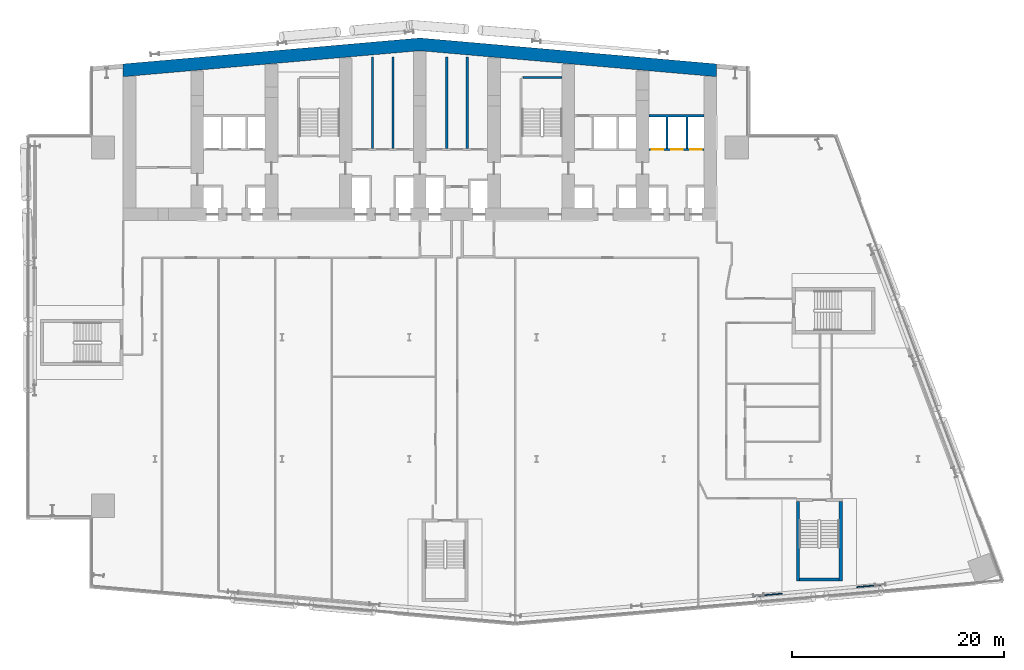
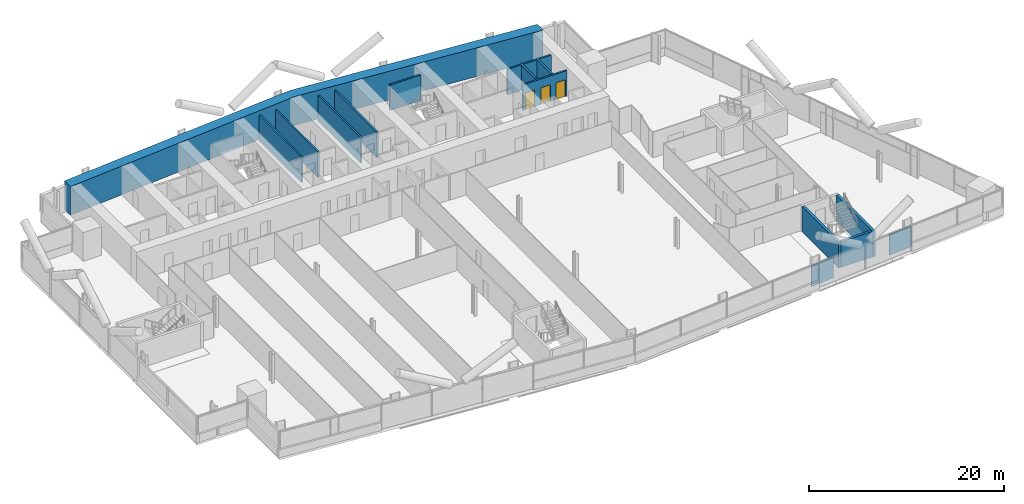
# One storey, part 16 of 25: 13 walls, 3 doors, 3 openings.
"""IFC4 building model written with IfcOpenShell, lengths in metres."""

from ifc_helpers import new_model, si_unit, direction, frame, frame_2d, origin, place, context, subcontext, project, spatial, polyline, rectangle, outline, extrude, material, layer, layer_set, type_object, element, fill, save


model = new_model("IFC4")

# Units and contexts
model_context = context("Model", 3, precision=1e-05, world=origin(), true_north=direction((0.0, 1.0)))
body_context = subcontext(model_context, "Body", "Model", "MODEL_VIEW")
ifc_project = project(units=[si_unit("LENGTHUNIT", "METRE"), si_unit("AREAUNIT", "SQUARE_METRE"), si_unit("VOLUMEUNIT", "CUBIC_METRE"), si_unit("PLANEANGLEUNIT", "RADIAN"), si_unit("MASSUNIT", "GRAM", prefix="KILO")], contexts=[model_context])

# Site, building, storey
site_placement = place(None, origin())
site = spatial("IfcSite", under=ifc_project, at=site_placement, CompositionType="ELEMENT")
building_placement = place(site_placement, origin())
building = spatial("IfcBuilding", under=site, at=building_placement, Name="Wharfspan Tower", CompositionType="ELEMENT")
storey_placement = place(building_placement, frame((0.0, 0.0, 63.100098)))
storey = spatial("IfcBuildingStorey", under=building, at=storey_placement, Name="L12", CompositionType="ELEMENT", Elevation=63.100098)

# Walls
ifc_material_1 = material(Name="Calcium silicate masonry", Category="masonry")
ifc_layer_1 = layer(ifc_material_1, 0.199951)
ifc_layer_set_1 = layer_set([ifc_layer_1], Name="Calcium silicate masonry")
wall_type_1 = type_object("IfcWallType", Name="Core room wall 200", PredefinedType="PARTITIONING", material=ifc_layer_set_1)
for number, where, z_axis, x_axis, name in (
    (1, (32.533203, 40.800049, 0.0), (0.0, 0.0, 1.0), (0.0, 1.0, 0.0), "sw:L12:RP3.1"),
    (2, (34.466797, 40.800049, 0.0), (0.0, 0.0, 1.0), (0.0, 1.0, 0.0), "sw:L12:RP3.2"),
    (3, (39.533203, 40.800049, 0.0), (0.0, 0.0, 1.0), (0.0, 1.0, 0.0), "sw:L12:RP4.1"),
    (4, (41.466797, 40.800049, 0.0), (0.0, 0.0, 1.0), (0.0, 1.0, 0.0), "sw:L12:RP4.2"),
):
    element("IfcWall", number, at=place(storey_placement, frame(where, z_axis=z_axis, x_axis=x_axis)), inside=storey, type_object=wall_type_1, Name=name, PredefinedType="PARTITIONING", context=body_context, shape_type="SweptSolid", body=[
        extrude(rectangle(XDim=8.652588, YDim=0.199951, at=frame_2d((4.326172, 0.0))), origin(), (0.0, 0.0, 1.0), 3.199951),
    ])
ifc_material_2 = material(Name="Concrete C70/85", Category="concrete")
ifc_layer_2 = layer(ifc_material_2, 1.199951)
ifc_layer_set_2 = layer_set([ifc_layer_2], Name="Concrete C70/85")
wall_type_2 = type_object("IfcWallType", Name="Core wall 1200 C70/85", PredefinedType="SHEAR", material=ifc_layer_set_2)
wall_1_placement = place(storey_placement, frame((0.0, 0.0, -0.000244)))
element("IfcWall", 5, at=wall_1_placement, inside=storey, type_object=wall_type_2, Name="Core rear wall L12", PredefinedType="SHEAR", context=body_context, shape_type="SweptSolid", body=[
    extrude(outline(polyline([(9.0, 47.582764), (37.0, 50.032471), (65.0, 47.582764), (65.0, 48.787354), (37.0, 51.237061), (9.0, 48.787354), (9.0, 47.582764)])), origin(), (0.0, 0.0, 1.0), 3.600098),
])

# Wall, openings, doors
ifc_material_3 = material(Name="Concrete C30/37", Category="concrete")
ifc_layer_3 = layer(ifc_material_3, 0.199951)
ifc_layer_set_3 = layer_set([ifc_layer_3], Name="Concrete C30/37")
wall_type_3 = type_object("IfcWallType", Name="Lift shaft wall 200", PredefinedType="PARTITIONING", material=ifc_layer_set_3)
wall_2_placement = place(storey_placement, frame((58.600098, 40.699951, 0.0), z_axis=(0.0, 0.0, 1.0), x_axis=(1.0, 0.0, 0.0)))
wall_2 = element("IfcWall", 6, at=wall_2_placement, inside=storey, type_object=wall_type_3, Name="sw:L12:RF7", PredefinedType="PARTITIONING", context=body_context, shape_type="SweptSolid", body=[
    extrude(rectangle(XDim=5.199951, YDim=0.199951, at=frame_2d((2.600098, 0.0))), origin(), (0.0, 0.0, 1.0), 3.199951),
])
opening_1_placement = place(wall_2_placement, frame((0.266602, 0.0, 0.0)))
opening_1 = element("IfcOpeningElement", 7, at=opening_1_placement, cuts=wall_2, Name="Opening LD.LA8.L12", PredefinedType="OPENING", context=body_context, shape_type="SweptSolid", body=[
    extrude(rectangle(XDim=1.100098, YDim=2.100098, at=frame_2d((0.550049, 1.050049))), frame((0.0, 0.109863, 0.0), z_axis=(0.0, -1.0, 0.0), x_axis=(1.0, 0.0, 0.0)), (0.0, 0.0, 1.0), 0.219971),
])
opening_2_placement = place(wall_2_placement, frame((2.116699, 0.0, 0.0)))
opening_2 = element("IfcOpeningElement", 8, at=opening_2_placement, cuts=wall_2, Name="Opening LD.LA9.L12", PredefinedType="OPENING", context=body_context, shape_type="SweptSolid", body=[
    extrude(rectangle(XDim=1.100098, YDim=2.100098, at=frame_2d((0.550049, 1.050049))), frame((0.0, 0.109863, 0.0), z_axis=(0.0, -1.0, 0.0), x_axis=(1.0, 0.0, 0.0)), (0.0, 0.0, 1.0), 0.219971),
])
opening_3_placement = place(wall_2_placement, frame((3.899902, 0.0, 0.0)))
opening_3 = element("IfcOpeningElement", 9, at=opening_3_placement, cuts=wall_2, Name="Opening LD.LA10.L12", PredefinedType="OPENING", context=body_context, shape_type="SweptSolid", body=[
    extrude(rectangle(XDim=1.100098, YDim=2.100098, at=frame_2d((0.550049, 1.050049))), frame((0.0, 0.109863, 0.0), z_axis=(0.0, -1.0, 0.0), x_axis=(1.0, 0.0, 0.0)), (0.0, 0.0, 1.0), 0.219971),
])
ifc_material_4 = material(Name="Stainless steel", Category="steel")
door_type = type_object("IfcDoorType", Name="Lift landing door 1100x2100", OperationType="DOUBLE_DOOR_SLIDING", PredefinedType="DOOR", material=ifc_material_4)
door_1_placement = place(opening_1_placement, origin())
door_1 = element("IfcDoor", 10, at=door_1_placement, inside=storey, type_object=door_type, Name="Landing door LA8 L12", OperationType="DOUBLE_DOOR_SLIDING", OverallHeight=2.100098, OverallWidth=1.100098, PredefinedType="DOOR", context=body_context, shape_type="SweptSolid", body=[
    extrude(rectangle(XDim=1.100098, YDim=2.100098, at=frame_2d((0.550049, 1.050049))), frame((0.0, 0.024902, 0.0), z_axis=(0.0, -1.0, 0.0), x_axis=(1.0, 0.0, 0.0)), (0.0, 0.0, 1.0), 0.050049),
])
fill(opening_1, door_1)
door_2_placement = place(opening_2_placement, origin())
door_2 = element("IfcDoor", 11, at=door_2_placement, inside=storey, type_object=door_type, Name="Landing door LA9 L12", OperationType="DOUBLE_DOOR_SLIDING", OverallHeight=2.100098, OverallWidth=1.100098, PredefinedType="DOOR", context=body_context, shape_type="SweptSolid", body=[
    extrude(rectangle(XDim=1.100098, YDim=2.100098, at=frame_2d((0.550049, 1.050049))), frame((0.0, 0.024902, 0.0), z_axis=(0.0, -1.0, 0.0), x_axis=(1.0, 0.0, 0.0)), (0.0, 0.0, 1.0), 0.050049),
])
fill(opening_2, door_2)
door_3_placement = place(opening_3_placement, origin())
door_3 = element("IfcDoor", 12, at=door_3_placement, inside=storey, type_object=door_type, Name="Landing door LA10 L12", OperationType="DOUBLE_DOOR_SLIDING", OverallHeight=2.100098, OverallWidth=1.100098, PredefinedType="DOOR", context=body_context, shape_type="SweptSolid", body=[
    extrude(rectangle(XDim=1.100098, YDim=2.100098, at=frame_2d((0.550049, 1.050049))), frame((0.0, 0.024902, 0.0), z_axis=(0.0, -1.0, 0.0), x_axis=(1.0, 0.0, 0.0)), (0.0, 0.0, 1.0), 0.050049),
])
fill(opening_3, door_3)

# Walls
wall_3_placement = place(storey_placement, frame((0.0, 0.0, -0.000244)))
element("IfcWall", 13, at=wall_3_placement, inside=storey, type_object=wall_type_3, Name="sw:L12:RM7.0", PredefinedType="PARTITIONING", context=body_context, shape_type="SweptSolid", body=[
    extrude(outline(polyline([(60.43335, 40.800049), (60.233398, 40.800049), (60.233398, 43.800049), (58.600098, 43.800049), (58.600098, 44.0), (63.800049, 44.0), (63.800049, 43.800049), (62.300049, 43.800049), (62.300049, 40.800049), (62.100098, 40.800049), (62.100098, 43.800049), (60.43335, 43.800049), (60.43335, 40.800049)])), origin(), (0.0, 0.0, 1.0), 3.200195),
])
ifc_material_5 = material(Name="Gypsum board on steel studs", Category="steel")
ifc_layer_4 = layer(ifc_material_5, 0.100098)
ifc_layer_set_4 = layer_set([ifc_layer_4], Name="Gypsum board on steel studs")
wall_type_4 = type_object("IfcWallType", Name="Partition 100", PredefinedType="PARTITIONING", material=ifc_layer_set_4)
wall_4_placement = place(storey_placement, frame((68.445068, -1.429932, 0.0), z_axis=(0.0, 0.0, 1.0), x_axis=(0.996195, 0.087118, 0.0)))
element("IfcWall", 14, at=wall_4_placement, inside=storey, type_object=wall_type_4, Name="Partition L12.w037", PredefinedType="PARTITIONING", context=body_context, shape_type="SweptSolid", body=[
    extrude(rectangle(XDim=2.738037, YDim=0.100098, at=frame_2d((1.369141, 0.0))), origin(), (0.0, 0.0, 1.0), 2.579834),
])
wall_5_placement = place(storey_placement, frame((78.212402, -0.572998, 0.0), z_axis=(0.0, 0.0, 1.0), x_axis=(0.996224, 0.086779, 0.0)))
element("IfcWall", 15, at=wall_5_placement, inside=storey, type_object=wall_type_4, Name="Partition L12.w043", PredefinedType="PARTITIONING", context=body_context, shape_type="SweptSolid", body=[
    extrude(rectangle(XDim=2.74292, YDim=0.100098, at=frame_2d((1.371582, 0.0))), origin(), (0.0, 0.0, 1.0), 2.579834),
])
ifc_material_6 = material(Name="Concrete C40/50", Category="concrete")
ifc_layer_5 = layer(ifc_material_6, 0.300049)
ifc_layer_set_5 = layer_set([ifc_layer_5], Name="Concrete C40/50")
wall_type_5 = type_object("IfcWallType", Name="Stair core wall 300", PredefinedType="SHEAR", material=ifc_layer_set_5)
for number, where, z_axis, x_axis, name in (
    (16, (72.66748, -0.008057, 0.0), (0.0, 0.0, 1.0), (0.0, 1.0, 0.0), "ST5 stair enclosure wall L12"),
    (17, (76.717529, -0.008057, 0.0), (0.0, 0.0, 1.0), (0.0, 1.0, 0.0), "ST5 stair enclosure wall L12"),
):
    element("IfcWall", number, at=place(storey_placement, frame(where, z_axis=z_axis, x_axis=x_axis)), inside=storey, type_object=wall_type_5, Name=name, PredefinedType="SHEAR", context=body_context, shape_type="SweptSolid", body=[
        extrude(rectangle(XDim=7.5, YDim=0.300049, at=frame_2d((3.75, 0.0))), origin(), (0.0, 0.0, 1.0), 3.199951),
    ])
wall_6_placement = place(storey_placement, frame((72.817383, 0.14209, 0.0), z_axis=(0.0, 0.0, 1.0), x_axis=(1.0, 0.0, 0.0)))
element("IfcWall", 18, at=wall_6_placement, inside=storey, type_object=wall_type_5, Name="ST5 stair enclosure wall L12", PredefinedType="SHEAR", context=body_context, shape_type="SweptSolid", body=[
    extrude(rectangle(XDim=3.75, YDim=0.300049, at=frame_2d((1.875, 0.0))), origin(), (0.0, 0.0, 1.0), 3.199951),
])
ifc_layer_6 = layer(ifc_material_6, 0.199951)
ifc_layer_set_6 = layer_set([ifc_layer_6], Name="Concrete C40/50")
wall_type_6 = type_object("IfcWallType", Name="Stair shaft wall 200", PredefinedType="SHEAR", material=ifc_layer_set_6)
wall_7_placement = place(storey_placement, frame((46.75, 47.5, 0.0), z_axis=(0.0, 0.0, 1.0), x_axis=(1.0, 0.0, 0.0)))
element("IfcWall", 19, at=wall_7_placement, inside=storey, type_object=wall_type_6, Name="ST2 stair enclosure wall L12", PredefinedType="SHEAR", context=body_context, shape_type="SweptSolid", body=[
    extrude(rectangle(XDim=3.649902, YDim=0.199951, at=frame_2d((1.824951, 0.0))), origin(), (0.0, 0.0, 1.0), 3.199951),
])

save(model, "model.ifc")
